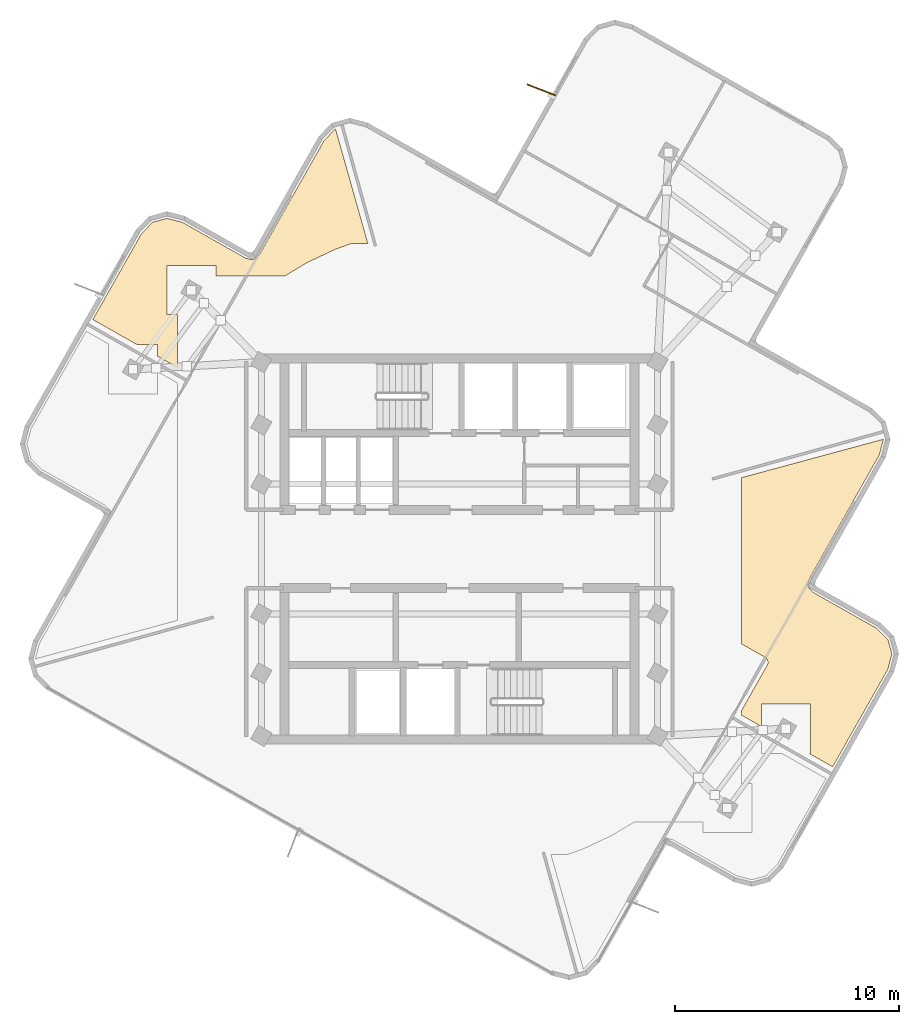
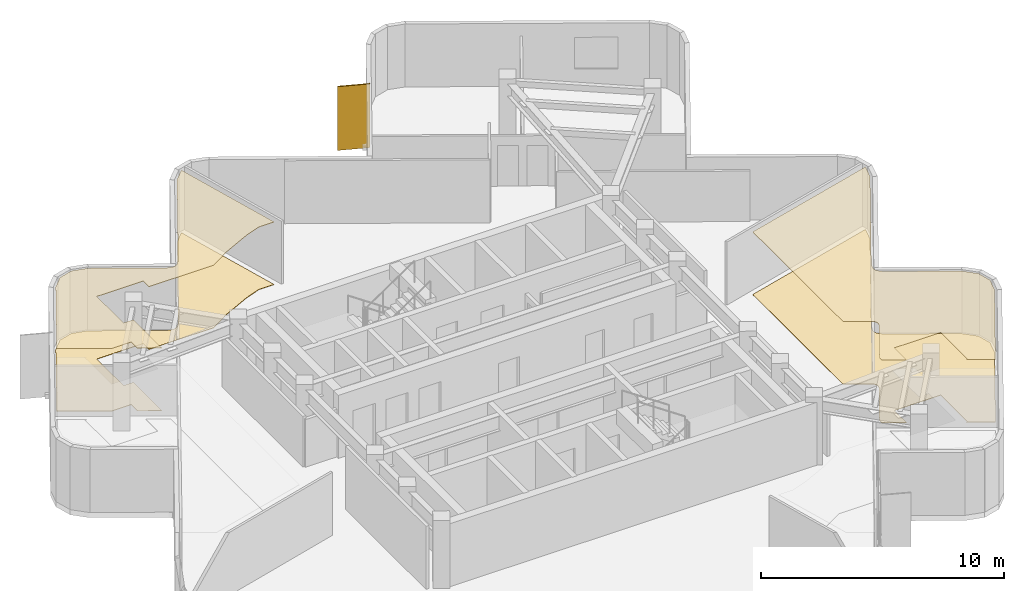
# One storey, part 9 of 9: 4 coverings, 1 shading device.
"""IFC4 building model written with IfcOpenShell, lengths in metres."""

from ifc_helpers import new_model, si_unit, direction, frame, origin, origin_2d, place, context, subcontext, project, spatial, polyline, rectangle, outline, extrude, material, layer, layer_set, type_object, element, save


model = new_model("IFC4")

# Units and contexts
model_context = context("Model", 3, precision=1e-05, world=origin(), true_north=direction((0.0, 1.0)))
body_context = subcontext(model_context, "Body", "Model", "MODEL_VIEW")
ifc_project = project(units=[si_unit("LENGTHUNIT", "METRE"), si_unit("AREAUNIT", "SQUARE_METRE"), si_unit("VOLUMEUNIT", "CUBIC_METRE"), si_unit("PLANEANGLEUNIT", "RADIAN"), si_unit("MASSUNIT", "GRAM", prefix="KILO")], contexts=[model_context])

# Site, building, storey
site_placement = place(None, origin())
site = spatial("IfcSite", under=ifc_project, at=site_placement, CompositionType="ELEMENT")
building_placement = place(site_placement, origin())
building = spatial("IfcBuilding", under=site, at=building_placement, Name="Solmarez Civic Tower", CompositionType="ELEMENT")
storey_placement = place(building_placement, frame((0.0, 0.0, 278.280029296875)))
storey = spatial("IfcBuildingStorey", under=building, at=storey_placement, Name="L75", CompositionType="ELEMENT", Elevation=278.280029296875)

# Coverings
ifc_material_1 = material(Name="Perforated Mineral-Fibre Acoustic Ceiling")
ifc_layer_1 = layer(ifc_material_1, 0.02490234375)
ifc_layer_set_1 = layer_set([ifc_layer_1], Name="Perforated Mineral-Fibre Acoustic Ceiling")
covering_type_1 = type_object("IfcCoveringType", Name="COV-CEIL-ACOUSTIC", PredefinedType="CEILING", material=ifc_layer_set_1)
covering_1_placement = place(storey_placement, frame((0.0, 0.0, 3.135009765625)))
element("IfcCovering", 1, at=covering_1_placement, inside=storey, type_object=covering_type_1, Name="L75 Suspended Acoustic Ceiling 2", PredefinedType="CEILING", context=body_context, shape_type="SweptSolid", body=[
    extrude(outline(polyline([(12.60009765625, 3.18798828125), (12.60009765625, -4.238037109375), (13.64599609375, -4.8310546875), (13.6630859375, -4.841064453125), (13.678955078125, -4.85302734375), (13.694091796875, -4.865966796875), (13.700927734375, -4.873046875), (13.7119140625, -4.885986328125), (13.718017578125, -4.89306640625), (13.73193359375, -4.909912109375), (13.742919921875, -4.928955078125), (13.748046875, -4.93798828125), (13.758056640625, -4.95703125), (13.764892578125, -4.97705078125), (13.77099609375, -4.9970703125), (13.77294921875, -5.006103515625), (13.77392578125, -5.010986328125), (13.77490234375, -5.01611328125), (13.778076171875, -5.037109375), (13.779052734375, -5.05908203125), (13.779052734375, -5.069091796875), (13.778076171875, -5.091064453125), (13.77490234375, -5.112060546875), (13.77392578125, -5.116943359375), (13.76708984375, -5.14404296875), (13.763916015625, -5.153076171875), (13.759033203125, -5.1650390625), (13.757080078125, -5.169921875), (13.743896484375, -5.196044921875), (12.60009765625, -7.216064453125), (12.60009765625, -7.422119140625), (13.48291015625, -7.922119140625), (13.48291015625, -6.926025390625), (15.68310546875, -6.926025390625), (15.68310546875, -9.1259765625), (15.60888671875, -9.1259765625), (16.6708984375, -9.72705078125), (19.139892578125, -5.366943359375), (19.318115234375, -4.680908203125), (19.139892578125, -4.0390625), (18.634033203125, -3.541015625), (15.85498046875, -1.967041015625), (15.8310546875, -1.952880859375), (15.824951171875, -1.948974609375), (15.80810546875, -1.93603515625), (15.791015625, -1.922119140625), (15.787109375, -1.9169921875), (15.6630859375, -1.7958984375), (15.657958984375, -1.791015625), (15.64501953125, -1.77587890625), (15.639892578125, -1.77001953125), (15.6279296875, -1.75390625), (15.617919921875, -1.738037109375), (15.614013671875, -1.73095703125), (15.60302734375, -1.708984375), (15.60009765625, -1.701904296875), (15.596923828125, -1.695068359375), (15.5869140625, -1.66796875), (15.5849609375, -1.660888671875), (15.5810546875, -1.64501953125), (15.5791015625, -1.6279296875), (15.577880859375, -1.6220703125), (15.576904296875, -1.616943359375), (15.574951171875, -1.5859375), (15.574951171875, -1.577880859375), (15.576904296875, -1.547119140625), (15.577880859375, -1.5400390625), (15.5830078125, -1.51806640625), (15.5849609375, -1.508056640625), (15.6279296875, -1.342041015625), (15.62890625, -1.3369140625), (15.631103515625, -1.330078125), (15.637939453125, -1.31005859375), (15.64697265625, -1.2900390625), (15.657958984375, -1.26904296875), (18.760986328125, 4.212890625), (18.93896484375, 4.89892578125), (18.93701171875, 4.905029296875), (12.60009765625, 3.18798828125)])), origin(), (0.0, 0.0, 1.0), 0.02490234375),
])
covering_2_placement = place(storey_placement, frame((0.0, 0.0, 3.135009765625)))
element("IfcCovering", 2, at=covering_2_placement, inside=storey, type_object=covering_type_1, Name="L75 Suspended Acoustic Ceiling 3", PredefinedType="CEILING", context=body_context, shape_type="SweptSolid", body=[
    extrude(outline(polyline([(-12.60009765625, 8.111083984375), (-12.60009765625, 10.466064453125), (-13.071044921875, 10.466064453125), (-13.071044921875, 12.666015625), (-10.87109375, 12.666015625), (-10.87109375, 12.199951171875), (-7.797119140625, 12.199951171875), (-6.842041015625, 12.77294921875), (-6.826904296875, 12.781005859375), (-6.81396484375, 12.787109375), (-5.552978515625, 13.384033203125), (-5.532958984375, 13.39208984375), (-4.85107421875, 13.635986328125), (-4.844970703125, 13.637939453125), (-4.818115234375, 13.64501953125), (-4.81298828125, 13.64599609375), (-4.7919921875, 13.64892578125), (-4.77001953125, 13.64990234375), (-4.090087890625, 13.64990234375), (-5.534912109375, 18.762939453125), (-5.5419921875, 18.760986328125), (-6.0390625, 18.2548828125), (-8.89697265625, 13.208984375), (-8.905029296875, 13.195068359375), (-8.908935546875, 13.18896484375), (-8.919921875, 13.174072265625), (-8.924072265625, 13.1689453125), (-8.93994140625, 13.14990234375), (-8.944091796875, 13.14599609375), (-9.06396484375, 13.02392578125), (-9.080078125, 13.009033203125), (-9.092041015625, 12.9990234375), (-9.111083984375, 12.985107421875), (-9.116943359375, 12.98095703125), (-9.134033203125, 12.970947265625), (-9.152099609375, 12.9619140625), (-9.166015625, 12.9560546875), (-9.193115234375, 12.946044921875), (-9.199951171875, 12.944091796875), (-9.216064453125, 12.93994140625), (-9.23291015625, 12.93798828125), (-9.240966796875, 12.93701171875), (-9.2490234375, 12.93603515625), (-9.27587890625, 12.93408203125), (-9.282958984375, 12.93408203125), (-9.31005859375, 12.93603515625), (-9.318115234375, 12.93701171875), (-9.3349609375, 12.93896484375), (-9.35107421875, 12.943115234375), (-9.35595703125, 12.945068359375), (-9.52001953125, 12.987060546875), (-9.5380859375, 12.991943359375), (-9.56005859375, 13.0), (-9.5810546875, 13.009033203125), (-9.597900390625, 13.02001953125), (-12.376953125, 14.593017578125), (-13.06298828125, 14.77001953125), (-13.7060546875, 14.593017578125), (-14.202880859375, 14.0869140625), (-16.3759765625, 10.2490234375), (-14.39208984375, 9.1259765625), (-13.48291015625, 9.1259765625), (-13.48291015625, 8.611083984375), (-12.60009765625, 8.111083984375)])), origin(), (0.0, 0.0, 1.0), 0.02490234375),
])
ifc_material_2 = material(Name="Polished Tropical Stone Terrazzo Flooring", Category="masonry")
ifc_layer_2 = layer(ifc_material_2, 0.02001953125)
ifc_layer_set_2 = layer_set([ifc_layer_2], Name="Polished Tropical Stone Terrazzo Flooring")
covering_type_2 = type_object("IfcCoveringType", Name="COV-FLOOR-TERRAZZO", PredefinedType="FLOORING", material=ifc_layer_set_2)
covering_3_placement = place(storey_placement, origin())
element("IfcCovering", 3, at=covering_3_placement, inside=storey, type_object=covering_type_2, Name="L75 Terrazzo Floor Finish 2", PredefinedType="FLOORING", context=body_context, shape_type="SweptSolid", body=[
    extrude(outline(polyline([(12.60009765625, 3.18798828125), (12.60009765625, -4.238037109375), (13.64599609375, -4.8310546875), (13.6630859375, -4.841064453125), (13.678955078125, -4.85302734375), (13.694091796875, -4.865966796875), (13.700927734375, -4.873046875), (13.7119140625, -4.885986328125), (13.718017578125, -4.89306640625), (13.73193359375, -4.909912109375), (13.742919921875, -4.928955078125), (13.748046875, -4.93798828125), (13.758056640625, -4.95703125), (13.764892578125, -4.97705078125), (13.77099609375, -4.9970703125), (13.77294921875, -5.006103515625), (13.77392578125, -5.010986328125), (13.77490234375, -5.01611328125), (13.778076171875, -5.037109375), (13.779052734375, -5.05908203125), (13.779052734375, -5.069091796875), (13.778076171875, -5.091064453125), (13.77490234375, -5.112060546875), (13.77392578125, -5.116943359375), (13.76708984375, -5.14404296875), (13.763916015625, -5.153076171875), (13.759033203125, -5.1650390625), (13.757080078125, -5.169921875), (13.743896484375, -5.196044921875), (12.60009765625, -7.216064453125), (12.60009765625, -7.422119140625), (13.48291015625, -7.922119140625), (13.48291015625, -6.926025390625), (15.68310546875, -6.926025390625), (15.68310546875, -9.1259765625), (15.60888671875, -9.1259765625), (16.6708984375, -9.72705078125), (19.139892578125, -5.366943359375), (19.318115234375, -4.680908203125), (19.139892578125, -4.0390625), (18.634033203125, -3.541015625), (15.85498046875, -1.967041015625), (15.8310546875, -1.952880859375), (15.824951171875, -1.948974609375), (15.80810546875, -1.93603515625), (15.791015625, -1.922119140625), (15.787109375, -1.9169921875), (15.6630859375, -1.7958984375), (15.657958984375, -1.791015625), (15.64501953125, -1.77587890625), (15.639892578125, -1.77001953125), (15.6279296875, -1.75390625), (15.617919921875, -1.738037109375), (15.614013671875, -1.73095703125), (15.60302734375, -1.708984375), (15.60009765625, -1.701904296875), (15.596923828125, -1.695068359375), (15.5869140625, -1.66796875), (15.5849609375, -1.660888671875), (15.5810546875, -1.64501953125), (15.5791015625, -1.6279296875), (15.577880859375, -1.6220703125), (15.576904296875, -1.616943359375), (15.574951171875, -1.5859375), (15.574951171875, -1.577880859375), (15.576904296875, -1.547119140625), (15.577880859375, -1.5400390625), (15.5830078125, -1.51806640625), (15.5849609375, -1.508056640625), (15.6279296875, -1.342041015625), (15.62890625, -1.3369140625), (15.631103515625, -1.330078125), (15.637939453125, -1.31005859375), (15.64697265625, -1.2900390625), (15.657958984375, -1.26904296875), (18.760986328125, 4.212890625), (18.93896484375, 4.89892578125), (18.93701171875, 4.905029296875), (12.60009765625, 3.18798828125)])), origin(), (0.0, 0.0, 1.0), 0.02001953125),
])
covering_4_placement = place(storey_placement, origin())
element("IfcCovering", 4, at=covering_4_placement, inside=storey, type_object=covering_type_2, Name="L75 Terrazzo Floor Finish 3", PredefinedType="FLOORING", context=body_context, shape_type="SweptSolid", body=[
    extrude(outline(polyline([(-12.60009765625, 8.111083984375), (-12.60009765625, 10.466064453125), (-13.071044921875, 10.466064453125), (-13.071044921875, 12.666015625), (-10.87109375, 12.666015625), (-10.87109375, 12.199951171875), (-7.797119140625, 12.199951171875), (-6.842041015625, 12.77294921875), (-6.826904296875, 12.781005859375), (-6.81396484375, 12.787109375), (-5.552978515625, 13.384033203125), (-5.532958984375, 13.39208984375), (-4.85107421875, 13.635986328125), (-4.844970703125, 13.637939453125), (-4.818115234375, 13.64501953125), (-4.81298828125, 13.64599609375), (-4.7919921875, 13.64892578125), (-4.77001953125, 13.64990234375), (-4.090087890625, 13.64990234375), (-5.534912109375, 18.762939453125), (-5.5419921875, 18.760986328125), (-6.0390625, 18.2548828125), (-8.89697265625, 13.208984375), (-8.905029296875, 13.195068359375), (-8.908935546875, 13.18896484375), (-8.919921875, 13.174072265625), (-8.924072265625, 13.1689453125), (-8.93994140625, 13.14990234375), (-8.944091796875, 13.14599609375), (-9.06396484375, 13.02392578125), (-9.080078125, 13.009033203125), (-9.092041015625, 12.9990234375), (-9.111083984375, 12.985107421875), (-9.116943359375, 12.98095703125), (-9.134033203125, 12.970947265625), (-9.152099609375, 12.9619140625), (-9.166015625, 12.9560546875), (-9.193115234375, 12.946044921875), (-9.199951171875, 12.944091796875), (-9.216064453125, 12.93994140625), (-9.23291015625, 12.93798828125), (-9.240966796875, 12.93701171875), (-9.2490234375, 12.93603515625), (-9.27587890625, 12.93408203125), (-9.282958984375, 12.93408203125), (-9.31005859375, 12.93603515625), (-9.318115234375, 12.93701171875), (-9.3349609375, 12.93896484375), (-9.35107421875, 12.943115234375), (-9.35595703125, 12.945068359375), (-9.52001953125, 12.987060546875), (-9.5380859375, 12.991943359375), (-9.56005859375, 13.0), (-9.5810546875, 13.009033203125), (-9.597900390625, 13.02001953125), (-12.376953125, 14.593017578125), (-13.06298828125, 14.77001953125), (-13.7060546875, 14.593017578125), (-14.202880859375, 14.0869140625), (-16.3759765625, 10.2490234375), (-14.39208984375, 9.1259765625), (-13.48291015625, 9.1259765625), (-13.48291015625, 8.611083984375), (-12.60009765625, 8.111083984375)])), origin(), (0.0, 0.0, 1.0), 0.02001953125),
])

# Shading device
ifc_material_3 = material(Name="Bronze Anodised Aluminium EN AW-6063 T6", Category="aluminium")
ifc_layer_3 = layer(ifc_material_3, 0.054931640625)
ifc_layer_set_3 = layer_set([ifc_layer_3], Name="Bronze Anodised Aluminium EN AW-6063 T6")
shading_device_type = type_object("IfcShadingDeviceType", Name="FIN-BRONZE-Z56", PredefinedType="USERDEFINED", material=ifc_layer_set_3)
shading_device_placement = place(storey_placement, frame((3.656005859375, 20.510009765625, -0.0400390625), z_axis=(0.0, 0.0, 1.0), x_axis=(-0.931411995966, 0.36396661079, 0.0)))
element("IfcShadingDevice", 5, at=shading_device_placement, inside=storey, type_object=shading_device_type, Name="L75 Anodised Bronze Solar Fin FIN-L75-04", ObjectType="FIN", PredefinedType="USERDEFINED", context=body_context, shape_type="SweptSolid", body=[
    extrude(rectangle(XDim=1.35009765625, YDim=0.054931640625, at=origin_2d()), origin(), (0.0, 0.0, 1.0), 3.199951171875),
])

save(model, "model.ifc")
